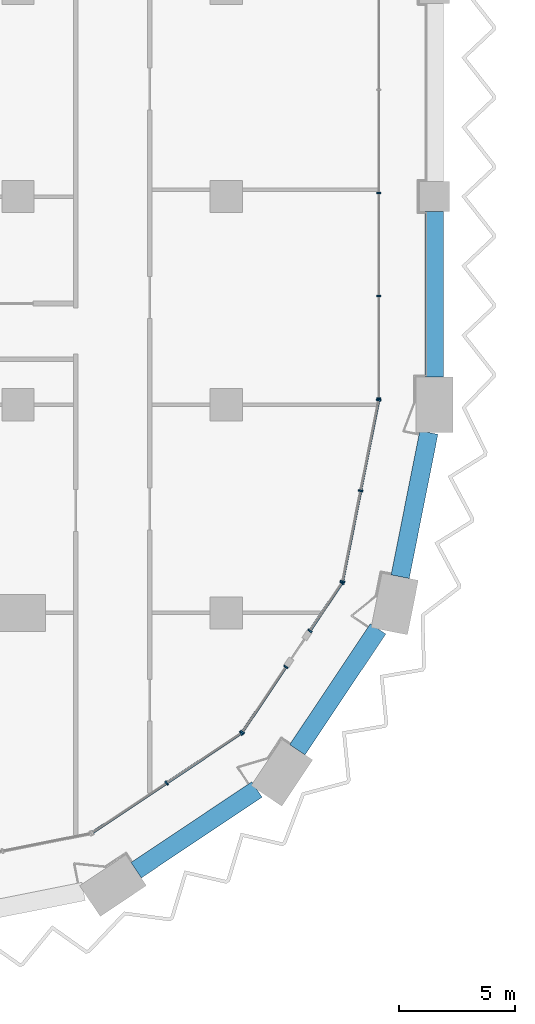
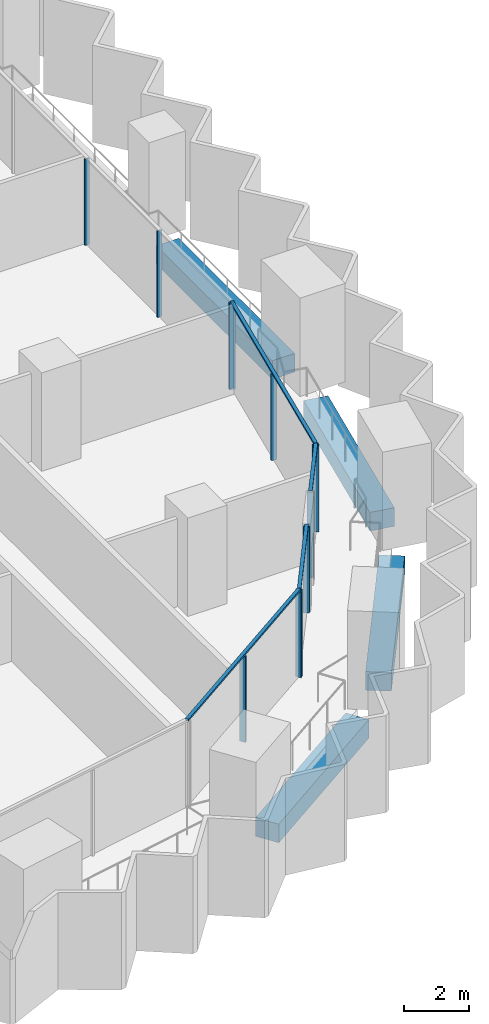
# One storey, part 3 of 29: 16 members, 4 beams, 5 elements without a shape of their own.
"""IFC4 building model written with IfcOpenShell, lengths in metres."""

from ifc_helpers import new_model, si_unit, direction, frame, origin, origin_2d, place, context, subcontext, project, spatial, rectangle, extrude, material, material_profile, profile_set, type_object, element, aggregate, save


model = new_model("IFC4")

# Units and contexts
model_context = context("Model", 3, precision=1e-05, world=origin(), true_north=direction((0.0, 1.0)))
body_context = subcontext(model_context, "Body", "Model", "MODEL_VIEW")
ifc_project = project(units=[si_unit("LENGTHUNIT", "METRE"), si_unit("AREAUNIT", "SQUARE_METRE"), si_unit("VOLUMEUNIT", "CUBIC_METRE"), si_unit("PLANEANGLEUNIT", "RADIAN"), si_unit("MASSUNIT", "GRAM", prefix="KILO")], contexts=[model_context])

# Site, building, storey
site_placement = place(None, origin())
site = spatial("IfcSite", under=ifc_project, at=site_placement, CompositionType="ELEMENT")
building_placement = place(site_placement, origin())
building = spatial("IfcBuilding", under=site, at=building_placement, Name="Hunhe Ridgeline Campus", CompositionType="ELEMENT")
storey_placement = place(building_placement, frame((0.0, 0.0, 69.10009765625)))
storey = spatial("IfcBuildingStorey", under=building, at=storey_placement, Name="L16", CompositionType="ELEMENT", Elevation=69.10009765625)

# Curtain wall, members
ifc_material_1 = material(Name="Aluminium 6063", Category="aluminium")
curtain_wall_type_1 = type_object("IfcCurtainWallType", Name="Curtain wall CW-1", PredefinedType="NOTDEFINED", material=ifc_material_1)
curtain_wall_1_placement = place(storey_placement, origin())
curtain_wall_1 = element("IfcCurtainWall", 1, at=curtain_wall_1_placement, inside=storey, type_object=curtain_wall_type_1, Name="Curtain wall 11", PredefinedType="NOTDEFINED")
ifc_material_profile_1 = material_profile(ifc_material_1, rectangle(XDim=0.159912109375, YDim=0.06005859375, at=origin_2d()))
ifc_profile_set_1 = profile_set([ifc_material_profile_1], Name="Aluminium 6063")
member_type_1 = type_object("IfcMemberType", Name="CW-1 aluminium mullion", PredefinedType="MULLION", material=ifc_profile_set_1)
member_1_placement = place(storey_placement, frame((42.59912109375, 27.266357421875, 0.0), z_axis=(0.0, 0.0, 1.0), x_axis=(-1.0, 1.8682e-07, 0.0)))
member_1 = element("IfcMember", 2, at=member_1_placement, type_object=member_type_1, Name="CW-1 mullion 1", PredefinedType="MULLION", context=body_context, shape_type="SweptSolid", body=[
    extrude(rectangle(XDim=0.159912109375, YDim=0.06005859375, at=origin_2d()), origin(), (0.0, 0.0, 1.0), 3.239990234375),
])
member_2_placement = place(storey_placement, frame((42.59912109375, 31.697021484375, 0.0), z_axis=(0.0, 0.0, 1.0), x_axis=(-1.0, 1.8682e-07, 0.0)))
member_2 = element("IfcMember", 3, at=member_2_placement, type_object=member_type_1, Name="CW-1 mullion 2", PredefinedType="MULLION", context=body_context, shape_type="SweptSolid", body=[
    extrude(rectangle(XDim=0.159912109375, YDim=0.06005859375, at=origin_2d()), origin(), (0.0, 0.0, 1.0), 3.239990234375),
])
member_3_placement = place(storey_placement, frame((42.59912109375, 36.15771484375, 0.0), z_axis=(0.0, 0.0, 1.0), x_axis=(-1.0, 1.8682e-07, 0.0)))
member_3 = element("IfcMember", 4, at=member_3_placement, type_object=member_type_1, Name="CW-1 mullion 3", PredefinedType="MULLION", context=body_context, shape_type="SweptSolid", body=[
    extrude(rectangle(XDim=0.159912109375, YDim=0.06005859375, at=origin_2d()), origin(), (0.0, 0.0, 1.0), 3.239990234375),
])
aggregate(curtain_wall_1, [member_1, member_2, member_3])

curtain_wall_type_2 = type_object("IfcCurtainWallType", Name="Curtain wall CW-5", PredefinedType="NOTDEFINED", material=ifc_material_1)
curtain_wall_2_placement = place(storey_placement, origin())
curtain_wall_2 = element("IfcCurtainWall", 5, at=curtain_wall_2_placement, inside=storey, type_object=curtain_wall_type_2, Name="Curtain wall 07", PredefinedType="NOTDEFINED")
ifc_material_profile_2 = material_profile(ifc_material_1, rectangle(XDim=0.199951171875, YDim=0.070068359375, at=origin_2d()))
ifc_profile_set_2 = profile_set([ifc_material_profile_2], Name="Aluminium 6063")
member_type_2 = type_object("IfcMemberType", Name="CW-5 aluminium mullion", PredefinedType="MULLION", material=ifc_profile_set_2)
member_4_placement = place(storey_placement, frame((33.42626953125, 10.647705078125, 0.0), z_axis=(0.0, 0.0, 1.0), x_axis=(-0.555570274596, 0.831469584522, 0.0)))
member_4 = element("IfcMember", 6, at=member_4_placement, type_object=member_type_2, Name="CW-5 mullion 2", PredefinedType="MULLION", context=body_context, shape_type="SweptSolid", body=[
    extrude(rectangle(XDim=0.199951171875, YDim=0.070068359375, at=origin_2d()), origin(), (0.0, 0.0, 1.0), 3.22998046875),
])
member_5_placement = place(storey_placement, frame((36.649658203125, 12.8017578125, 0.0), z_axis=(0.0, 0.0, 1.0), x_axis=(-0.555570274596, 0.831469584522, 0.0)))
member_5 = element("IfcMember", 7, at=member_5_placement, type_object=member_type_2, Name="CW-5 mullion 3", PredefinedType="MULLION", context=body_context, shape_type="SweptSolid", body=[
    extrude(rectangle(XDim=0.199951171875, YDim=0.070068359375, at=origin_2d()), origin(), (0.0, 0.0, 1.0), 3.22998046875),
])

curtain_wall_3_placement = place(storey_placement, origin())
curtain_wall_3 = element("IfcCurtainWall", 8, at=curtain_wall_3_placement, inside=storey, type_object=curtain_wall_type_2, Name="Curtain wall 08", PredefinedType="NOTDEFINED")
member_6_placement = place(storey_placement, frame((36.6982421875, 12.850341796875, 0.0), z_axis=(0.0, 0.0, 1.0), x_axis=(-0.831469595944, 0.555570257501, 0.0)))
member_6 = element("IfcMember", 9, at=member_6_placement, type_object=member_type_2, Name="CW-5 mullion 1", PredefinedType="MULLION", context=body_context, shape_type="SweptSolid", body=[
    extrude(rectangle(XDim=0.199951171875, YDim=0.070068359375, at=origin_2d()), origin(), (0.0, 0.0, 1.0), 3.22998046875),
])
member_7_placement = place(storey_placement, frame((38.582763671875, 15.67041015625, 0.0), z_axis=(0.0, 0.0, 1.0), x_axis=(-0.831469595944, 0.555570257501, 0.0)))
member_7 = element("IfcMember", 10, at=member_7_placement, type_object=member_type_2, Name="CW-5 mullion 2", PredefinedType="MULLION", context=body_context, shape_type="SweptSolid", body=[
    extrude(rectangle(XDim=0.199951171875, YDim=0.070068359375, at=origin_2d()), origin(), (0.0, 0.0, 1.0), 3.22998046875),
])

curtain_wall_4_placement = place(storey_placement, origin())
curtain_wall_4 = element("IfcCurtainWall", 11, at=curtain_wall_4_placement, inside=storey, type_object=curtain_wall_type_2, Name="Curtain wall 09", PredefinedType="NOTDEFINED")
member_8_placement = place(storey_placement, frame((39.62158203125, 17.225341796875, 0.0), z_axis=(0.0, 0.0, 1.0), x_axis=(-0.831469510353, 0.555570385598, 0.0)))
member_8 = element("IfcMember", 12, at=member_8_placement, type_object=member_type_2, Name="CW-5 mullion 1", PredefinedType="MULLION", context=body_context, shape_type="SweptSolid", body=[
    extrude(rectangle(XDim=0.199951171875, YDim=0.070068359375, at=origin_2d()), origin(), (0.0, 0.0, 1.0), 3.22998046875),
])
member_9_placement = place(storey_placement, frame((41.006103515625, 19.29736328125, 0.0), z_axis=(0.0, 0.0, 1.0), x_axis=(-0.831469510353, 0.555570385598, 0.0)))
member_9 = element("IfcMember", 13, at=member_9_placement, type_object=member_type_2, Name="CW-5 mullion 2", PredefinedType="MULLION", context=body_context, shape_type="SweptSolid", body=[
    extrude(rectangle(XDim=0.199951171875, YDim=0.070068359375, at=origin_2d()), origin(), (0.0, 0.0, 1.0), 3.22998046875),
])

curtain_wall_5_placement = place(storey_placement, origin())
curtain_wall_5 = element("IfcCurtainWall", 14, at=curtain_wall_5_placement, inside=storey, type_object=curtain_wall_type_2, Name="Curtain wall 10", PredefinedType="NOTDEFINED")
member_10_placement = place(storey_placement, frame((41.032470703125, 19.36083984375, 0.0), z_axis=(0.0, 0.0, 1.0), x_axis=(-0.980785284939, 0.195090299215, 0.0)))
member_10 = element("IfcMember", 15, at=member_10_placement, type_object=member_type_2, Name="CW-5 mullion 1", PredefinedType="MULLION", context=body_context, shape_type="SweptSolid", body=[
    extrude(rectangle(XDim=0.199951171875, YDim=0.070068359375, at=origin_2d()), origin(), (0.0, 0.0, 1.0), 3.22998046875),
])
member_11_placement = place(storey_placement, frame((41.812255859375, 23.281494140625, 0.0), z_axis=(0.0, 0.0, 1.0), x_axis=(-0.980785284939, 0.195090299215, 0.0)))
member_11 = element("IfcMember", 16, at=member_11_placement, type_object=member_type_2, Name="CW-5 mullion 2", PredefinedType="MULLION", context=body_context, shape_type="SweptSolid", body=[
    extrude(rectangle(XDim=0.199951171875, YDim=0.070068359375, at=origin_2d()), origin(), (0.0, 0.0, 1.0), 3.22998046875),
])
member_12_placement = place(storey_placement, frame((42.59228515625, 27.2021484375, 0.0), z_axis=(0.0, 0.0, 1.0), x_axis=(-0.980785284939, 0.195090299215, 0.0)))
member_12 = element("IfcMember", 17, at=member_12_placement, type_object=member_type_2, Name="CW-5 mullion 3", PredefinedType="MULLION", context=body_context, shape_type="SweptSolid", body=[
    extrude(rectangle(XDim=0.199951171875, YDim=0.070068359375, at=origin_2d()), origin(), (0.0, 0.0, 1.0), 3.22998046875),
])

# Member
ifc_material_profile_3 = material_profile(ifc_material_1, rectangle(XDim=0.1201171875, YDim=0.070068359375, at=origin_2d()))
ifc_profile_set_3 = profile_set([ifc_material_profile_3], Name="Aluminium 6063")
member_type_3 = type_object("IfcMemberType", Name="CW-5 aluminium transom", PredefinedType="USERDEFINED", material=ifc_profile_set_3)
member_13_placement = place(storey_placement, frame((30.173583984375, 8.474365234375, 3.264892578125), z_axis=(0.831473763475, 0.5555640203, 0.0), x_axis=(-0.5555640203, 0.831473763475, 0.0)))
member_13 = element("IfcMember", 18, at=member_13_placement, type_object=member_type_3, Name="CW-5 transom 1", ObjectType="TRANSOM", PredefinedType="USERDEFINED", context=body_context, shape_type="SweptSolid", body=[
    extrude(rectangle(XDim=0.1201171875, YDim=0.070068359375, at=origin_2d()), origin(), (0.0, 0.0, 1.0), 7.823974609375),
])

aggregate(curtain_wall_2, [member_13, member_4, member_5])

member_14_placement = place(storey_placement, frame((36.678955078125, 12.821044921875, 3.264892578125), z_axis=(0.555546133463, 0.831485714606, 0.0), x_axis=(-0.831485714606, 0.555546133463, 0.0)))
member_14 = element("IfcMember", 19, at=member_14_placement, type_object=member_type_3, Name="CW-5 transom 1", ObjectType="TRANSOM", PredefinedType="USERDEFINED", context=body_context, shape_type="SweptSolid", body=[
    extrude(rectangle(XDim=0.1201171875, YDim=0.070068359375, at=origin_2d()), origin(), (0.0, 0.0, 1.0), 3.462158203125),
])

aggregate(curtain_wall_3, [member_14, member_6, member_7])

member_15_placement = place(storey_placement, frame((39.602294921875, 17.1962890625, 3.264892578125), z_axis=(0.555579547735, 0.831463388334, 0.0), x_axis=(-0.831463388334, 0.555579547735, 0.0)))
member_15 = element("IfcMember", 20, at=member_15_placement, type_object=member_type_3, Name="CW-5 transom 1", ObjectType="TRANSOM", PredefinedType="USERDEFINED", context=body_context, shape_type="SweptSolid", body=[
    extrude(rectangle(XDim=0.1201171875, YDim=0.070068359375, at=origin_2d()), origin(), (0.0, 0.0, 1.0), 2.56201171875),
])

aggregate(curtain_wall_4, [member_15, member_8, member_9])

member_16_placement = place(storey_placement, frame((41.025634765625, 19.326416015625, 3.264892578125), z_axis=(0.195097290093, 0.980783894341, 0.0), x_axis=(-0.980783894341, 0.195097290093, 0.0)))
member_16 = element("IfcMember", 21, at=member_16_placement, type_object=member_type_3, Name="CW-5 transom 1", ObjectType="TRANSOM", PredefinedType="USERDEFINED", context=body_context, shape_type="SweptSolid", body=[
    extrude(rectangle(XDim=0.1201171875, YDim=0.070068359375, at=origin_2d()), origin(), (0.0, 0.0, 1.0), 8.065185546875),
])

aggregate(curtain_wall_5, [member_16, member_10, member_11, member_12])

# Beams
ifc_material_2 = material(Name="Concrete C60", Category="concrete")
ifc_material_profile_4 = material_profile(ifc_material_2, rectangle(XDim=0.800048828125, YDim=0.699951171875, at=origin_2d()))
ifc_profile_set_4 = profile_set([ifc_material_profile_4], Name="Concrete C60")
beam_type = type_object("IfcBeamType", Name="RC spandrel beam 800x700 Concrete C60", PredefinedType="SPANDREL", material=ifc_profile_set_4)
for number, where, z_axis, x_axis, name in (
    (22, (32.108154296875, 6.87939453125, -0.60009765625), (0.831469696846, 0.555570106491, 0.0), (-0.555570106491, 0.831469696846, 0.0), "Spandrel beam B1-6 L16"),
    (23, (39.07666015625, 12.087890625, -0.60009765625), (0.555570106491, 0.831469696846, 0.0), (-0.831469696846, 0.555570106491, 0.0), "Spandrel beam B1-7 L16"),
):
    element("IfcBeam", number, at=place(storey_placement, frame(where, z_axis=z_axis, x_axis=x_axis)), inside=storey, type_object=beam_type, Name=name, PredefinedType="SPANDREL", context=body_context, shape_type="SweptSolid", body=[
        extrude(rectangle(XDim=0.800048828125, YDim=0.699951171875, at=origin_2d()), origin(), (0.0, 0.0, 1.0), 6.280029296875),
    ])
beam_1_placement = place(storey_placement, frame((43.521484375, 19.566650390625, -0.60009765625), z_axis=(0.195067021304, 0.980789914915, 0.0), x_axis=(-0.980789914915, 0.195067021304, 0.0)))
element("IfcBeam", 24, at=beam_1_placement, inside=storey, type_object=beam_type, Name="Spandrel beam B1-8 L16", PredefinedType="SPANDREL", context=body_context, shape_type="SweptSolid", body=[
    extrude(rectangle(XDim=0.800048828125, YDim=0.699951171875, at=origin_2d()), origin(), (0.0, 0.0, 1.0), 6.35546875),
])
beam_2_placement = place(storey_placement, frame((45.0, 28.199951171875, -0.60009765625), z_axis=(0.0, 1.0, 0.0), x_axis=(-1.0, 0.0, 0.0)))
element("IfcBeam", 25, at=beam_2_placement, inside=storey, type_object=beam_type, Name="Spandrel beam B1-9 L16", PredefinedType="SPANDREL", context=body_context, shape_type="SweptSolid", body=[
    extrude(rectangle(XDim=0.800048828125, YDim=0.699951171875, at=origin_2d()), origin(), (0.0, 0.0, 1.0), 7.150146484375),
])

save(model, "model.ifc")
